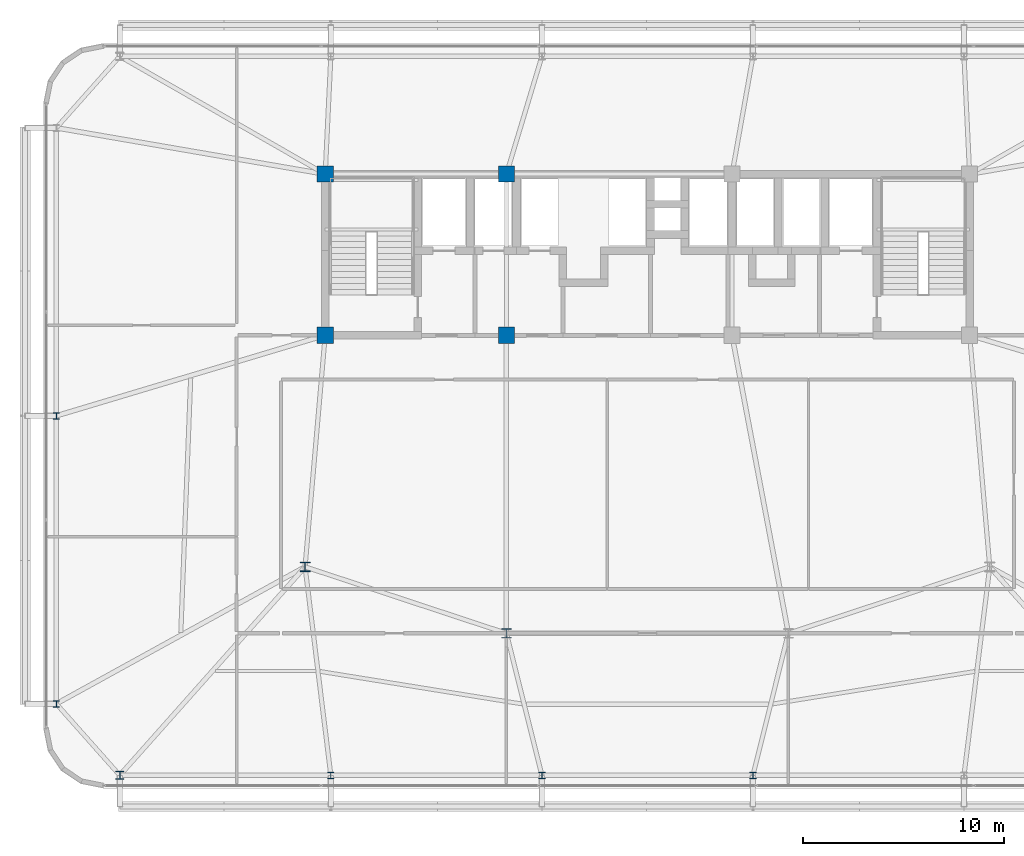
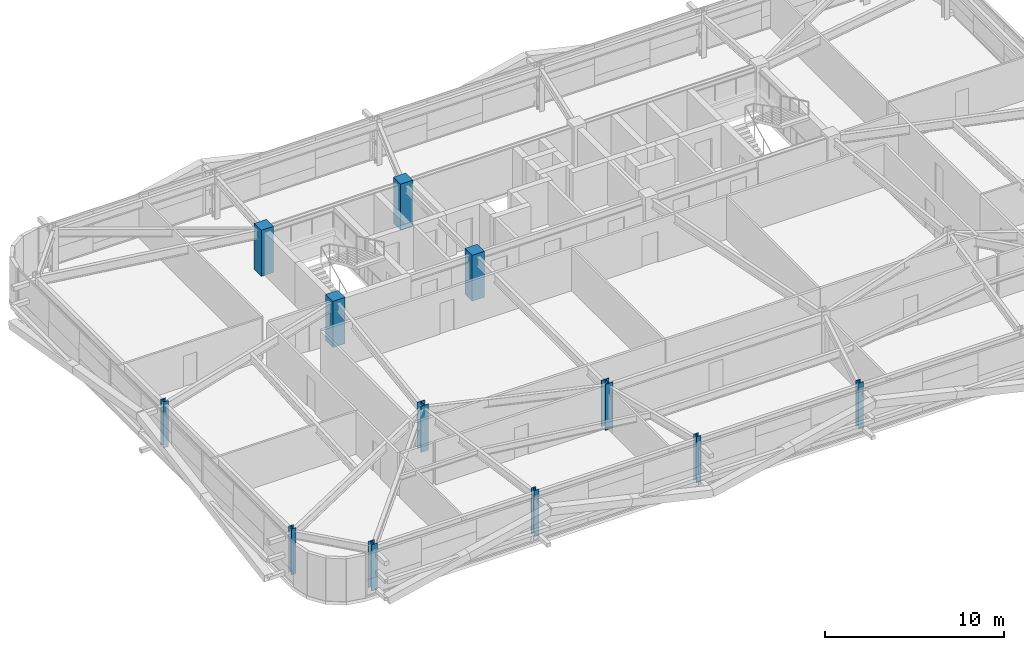
# One storey, part 1 of 44: 12 columns.
"""IFC4 building model written with IfcOpenShell, lengths in metres."""

from ifc_helpers import new_model, si_unit, direction, frame, origin, origin_2d, place, context, subcontext, project, spatial, rectangle, i_section, extrude, source, transform, mapped, material, material_profile, profile_set, type_object, element, save


model = new_model("IFC4")

# Units and contexts
model_context = context("Model", 3, precision=1e-05, world=origin(), true_north=direction((0.0, 1.0)))
body_context = subcontext(model_context, "Body", "Model", "MODEL_VIEW")
ifc_project = project(units=[si_unit("LENGTHUNIT", "METRE"), si_unit("AREAUNIT", "SQUARE_METRE"), si_unit("VOLUMEUNIT", "CUBIC_METRE"), si_unit("PLANEANGLEUNIT", "RADIAN"), si_unit("MASSUNIT", "GRAM", prefix="KILO")], contexts=[model_context])

# Site, building, storey
site_placement = place(None, origin())
site = spatial("IfcSite", under=ifc_project, at=site_placement, CompositionType="ELEMENT")
building_placement = place(site_placement, origin())
building = spatial("IfcBuilding", under=site, at=building_placement, Name="Taldren Reach Tower", CompositionType="ELEMENT")
storey_placement = place(building_placement, frame((0.0, 0.0, 42.0)))
storey = spatial("IfcBuildingStorey", under=building, at=storey_placement, Name="L12", CompositionType="ELEMENT", Elevation=42.0)

# Columns
ifc_material_1 = material(Name="Steel Gr 350 (350PLUS)", Category="steel")
ifc_material_profile_1 = material_profile(ifc_material_1, i_section(OverallWidth=0.5, OverallDepth=0.47998046875, WebThickness=0.028076171875, FlangeThickness=0.0439453125, at=origin_2d()), Name="500WC440")
ifc_profile_set_1 = profile_set([ifc_material_profile_1], Name="Steel Gr 350 (350PLUS)")
column_type_1 = type_object("IfcColumnType", Name="COL-WC500A", PredefinedType="COLUMN", material=ifc_profile_set_1)
shared_shape_1 = source(origin(), body_context, "Body", "SweptSolid", [
    extrude(i_section(OverallWidth=0.5, OverallDepth=0.47998046875, WebThickness=0.028076171875, FlangeThickness=0.0439453125, at=origin_2d()), origin(), (0.0, 0.0, 1.0), 3.14990234375),
])
column_1_placement = place(storey_placement, frame((28.0, 9.199951171875, 0.0), z_axis=(0.0, 0.0, 1.0), x_axis=(1.0, 0.0, 0.0)))
element("IfcColumn", 1, at=column_1_placement, inside=storey, type_object=column_type_1, Name="Mega column MC-PJW L12", PredefinedType="COLUMN", context=body_context, shape_type="MappedRepresentation", body=[
    mapped(shared_shape_1, transform((0.0, 0.0, 0.0), scale=1.0)),
])
ifc_material_profile_2 = material_profile(ifc_material_1, i_section(OverallWidth=0.39990234375, OverallDepth=0.39599609375, WebThickness=0.02197265625, FlangeThickness=0.033935546875, at=origin_2d()), Name="400WC270")
ifc_profile_set_2 = profile_set([ifc_material_profile_2], Name="Steel Gr 350 (350PLUS)")
column_type_2 = type_object("IfcColumnType", Name="COL-WC400", PredefinedType="COLUMN", material=ifc_profile_set_2)
shared_shape_2 = source(origin(), body_context, "Body", "SweptSolid", [
    extrude(i_section(OverallWidth=0.39990234375, OverallDepth=0.39599609375, WebThickness=0.02197265625, FlangeThickness=0.033935546875, at=origin_2d()), origin(), (0.0, 0.0, 1.0), 3.14990234375),
])
column_2_placement = place(storey_placement, frame((8.800048828125, 2.14990234375, 0.0), z_axis=(0.0, 0.0, 1.0), x_axis=(1.0, 0.0, 0.0)))
element("IfcColumn", 2, at=column_2_placement, inside=storey, type_object=column_type_2, Name="Block B1 perimeter column S1 L12", PredefinedType="COLUMN", context=body_context, shape_type="MappedRepresentation", body=[
    mapped(shared_shape_2, transform((0.0, 0.0, 0.0), scale=1.0)),
])
ifc_material_profile_3 = material_profile(ifc_material_1, i_section(OverallWidth=0.31103515625, OverallDepth=0.326904296875, WebThickness=0.015625, FlangeThickness=0.02490234375, at=origin_2d()), Name="310UC158")
ifc_profile_set_3 = profile_set([ifc_material_profile_3], Name="Steel Gr 350 (350PLUS)")
column_type_3 = type_object("IfcColumnType", Name="COL-UC310A", PredefinedType="COLUMN", material=ifc_profile_set_3)
shared_shape_3 = source(origin(), body_context, "Body", "SweptSolid", [
    extrude(i_section(OverallWidth=0.31103515625, OverallDepth=0.326904296875, WebThickness=0.015625, FlangeThickness=0.02490234375, at=origin_2d()), origin(), (0.0, 0.0, 1.0), 3.14990234375),
])
for number, where, z_axis, x_axis, name in (
    (3, (19.280029296875, 2.14990234375, 0.0), (0.0, 0.0, 1.0), (1.0, 0.0, 0.0), "Block B1 perimeter column S2 L12"),
    (4, (29.760009765625, 2.14990234375, 0.0), (0.0, 0.0, 1.0), (1.0, 0.0, 0.0), "Block B1 perimeter column S3 L12"),
    (5, (40.239990234375, 2.14990234375, 0.0), (0.0, 0.0, 1.0), (1.0, 0.0, 0.0), "Block B1 perimeter column S4 L12"),
    (6, (5.64990234375, 5.699951171875, 0.0), (0.0, 0.0, 1.0), (1.0, 0.0, 0.0), "Block B1 perimeter column W1 L12"),
    (7, (5.64990234375, 20.0, 0.0), (0.0, 0.0, 1.0), (1.0, 0.0, 0.0), "Block B1 perimeter column W2 L12"),
):
    element("IfcColumn", number, at=place(storey_placement, frame(where, z_axis=z_axis, x_axis=x_axis)), inside=storey, type_object=column_type_3, Name=name, PredefinedType="COLUMN", context=body_context, shape_type="MappedRepresentation", body=[
        mapped(shared_shape_3, transform((0.0, 0.0, 0.0), scale=1.0)),
    ])
ifc_material_2 = material(Name="Concrete S65 (65 MPa)", Category="concrete")
ifc_material_profile_4 = material_profile(ifc_material_2, rectangle(XDim=0.800048828125, YDim=0.800048828125, at=origin_2d()), Name="RC-800x800")
ifc_profile_set_4 = profile_set([ifc_material_profile_4], Name="Concrete S65 (65 MPa)")
column_type_4 = type_object("IfcColumnType", Name="COL-RC800", PredefinedType="COLUMN", material=ifc_profile_set_4)
shared_shape_4 = source(origin(), body_context, "Body", "SweptSolid", [
    extrude(rectangle(XDim=0.800048828125, YDim=0.800048828125, at=origin_2d()), origin(), (0.0, 0.0, 1.0), 3.14990234375),
])
for number, where, z_axis, x_axis, name in (
    (8, (19.0, 24.0, 0.0), (0.0, 0.0, 1.0), (1.0, 0.0, 0.0), "Mega column MC-C1 L12"),
    (9, (28.0, 24.0, 0.0), (0.0, 0.0, 1.0), (1.0, 0.0, 0.0), "Mega column MC-C2 L12"),
    (10, (19.0, 32.0, 0.0), (0.0, 0.0, 1.0), (1.0, 0.0, 0.0), "Mega column MC-C5 L12"),
    (11, (28.0, 32.0, 0.0), (0.0, 0.0, 1.0), (1.0, 0.0, 0.0), "Mega column MC-C6 L12"),
):
    element("IfcColumn", number, at=place(storey_placement, frame(where, z_axis=z_axis, x_axis=x_axis)), inside=storey, type_object=column_type_4, Name=name, PredefinedType="COLUMN", context=body_context, shape_type="MappedRepresentation", body=[
        mapped(shared_shape_4, transform((0.0, 0.0, 0.0), scale=1.0)),
    ])
ifc_material_profile_5 = material_profile(ifc_material_1, i_section(OverallWidth=0.5, OverallDepth=0.464111328125, WebThickness=0.02197265625, FlangeThickness=0.033935546875, at=origin_2d()), Name="500WC340")
ifc_profile_set_5 = profile_set([ifc_material_profile_5], Name="Steel Gr 350 (350PLUS)")
column_type_5 = type_object("IfcColumnType", Name="COL-WC500B", PredefinedType="COLUMN", material=ifc_profile_set_5)
shared_shape_5 = source(origin(), body_context, "Body", "SweptSolid", [
    extrude(i_section(OverallWidth=0.5, OverallDepth=0.464111328125, WebThickness=0.02197265625, FlangeThickness=0.033935546875, at=origin_2d()), origin(), (0.0, 0.0, 1.0), 3.14990234375),
])
column_3_placement = place(storey_placement, frame((18.0, 12.5, 0.0), z_axis=(0.0, 0.0, 1.0), x_axis=(1.0, 0.0, 0.0)))
element("IfcColumn", 12, at=column_3_placement, inside=storey, type_object=column_type_5, Name="Mega column MC-SW L12", PredefinedType="COLUMN", context=body_context, shape_type="MappedRepresentation", body=[
    mapped(shared_shape_5, transform((0.0, 0.0, 0.0), scale=1.0)),
])

save(model, "model.ifc")
